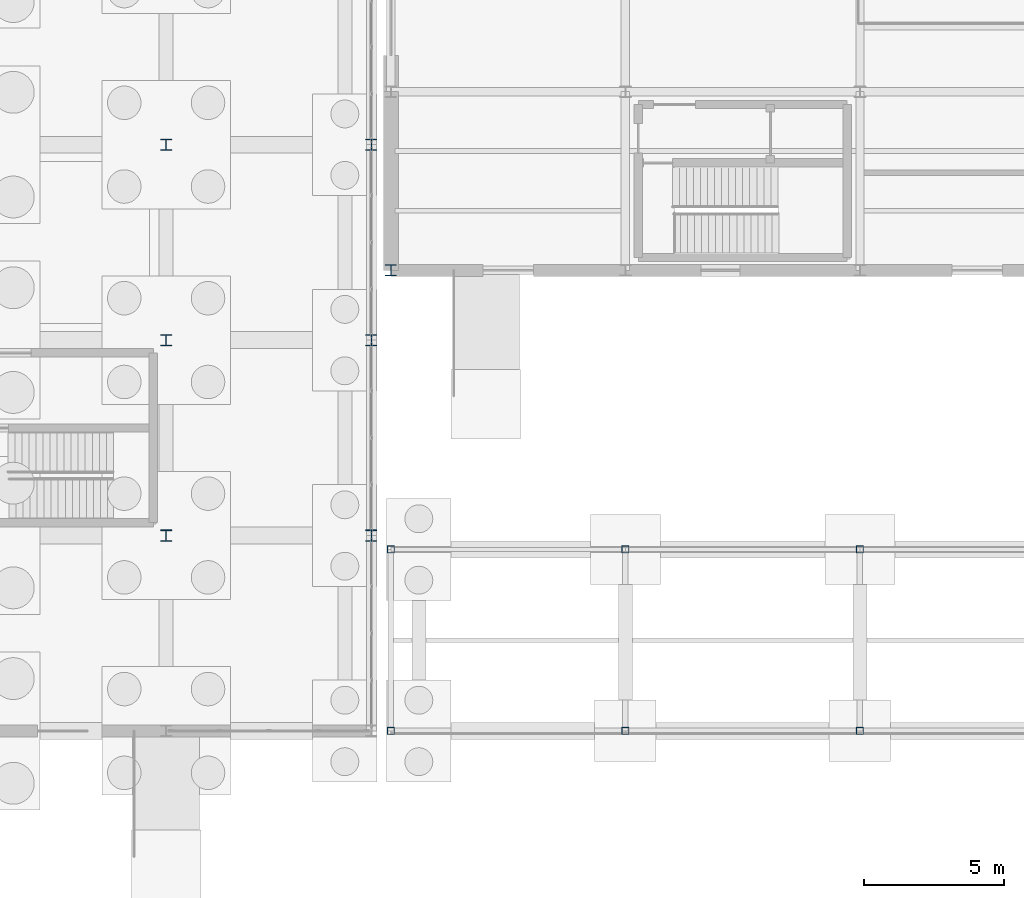
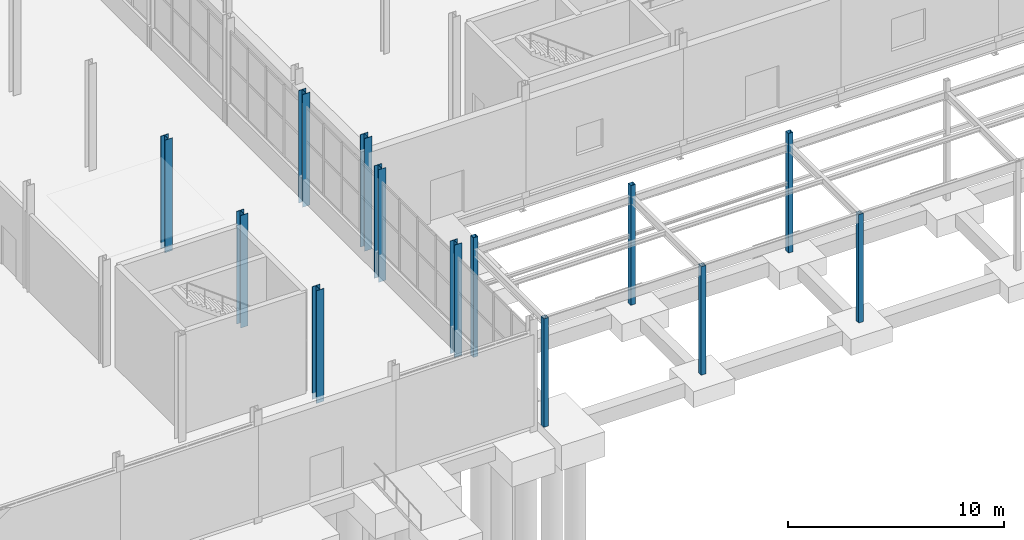
# One storey, part 12 of 139: 13 columns.
"""IFC4 building model written with IfcOpenShell, lengths in metres."""

from ifc_helpers import new_model, si_unit, direction, frame, origin, origin_2d, place, context, subcontext, project, spatial, hollow_rectangle, i_section, extrude, material, material_profile, profile_set, type_object, element, save


model = new_model("IFC4")

# Units and contexts
model_context = context("Model", 3, precision=1e-05, world=origin(), true_north=direction((0.0, 1.0)))
body_context = subcontext(model_context, "Body", "Model", "MODEL_VIEW")
ifc_project = project(units=[si_unit("LENGTHUNIT", "METRE"), si_unit("AREAUNIT", "SQUARE_METRE"), si_unit("VOLUMEUNIT", "CUBIC_METRE"), si_unit("PLANEANGLEUNIT", "RADIAN"), si_unit("MASSUNIT", "GRAM", prefix="KILO")], contexts=[model_context])

# Site, building, storey
site_placement = place(None, origin())
site = spatial("IfcSite", under=ifc_project, at=site_placement, CompositionType="ELEMENT")
building_placement = place(site_placement, origin())
building = spatial("IfcBuilding", under=site, at=building_placement, Name="Kazenagashi Tramway Depot", CompositionType="ELEMENT")
storey_placement = place(building_placement, origin())
storey = spatial("IfcBuildingStorey", under=building, at=storey_placement, Name="L01", CompositionType="ELEMENT", Elevation=0.0)

# Columns
ifc_material_1 = material(Name="Steel SN490B", Category="steel")
ifc_material_profile_1 = material_profile(ifc_material_1, i_section(OverallWidth=0.4, OverallDepth=0.4, WebThickness=0.013, FlangeThickness=0.021, at=origin_2d()), Name="H-400x400x13x21")
ifc_profile_set_1 = profile_set([ifc_material_profile_1], Name="Steel SN490B")
column_type_1 = type_object("IfcColumnType", Name="C-03", PredefinedType="COLUMN", material=ifc_profile_set_1)
for number, where, z_axis, x_axis, name in (
    (1, (44.8, 16.5, -0.35), (0.0, 0.0, 1.0), (1.0, 0.0, 0.0), "Column C-03 COL-0144"),
    (2, (36.75, 7.0, -0.35), (0.0, 0.0, 1.0), (1.0, 0.0, 0.0), "Column C-03 COL-0752"),
    (3, (36.75, 14.0, -0.35), (0.0, 0.0, 1.0), (1.0, 0.0, 0.0), "Column C-03 COL-0756"),
    (4, (36.75, 21.0, -0.35), (0.0, 0.0, 1.0), (1.0, 0.0, 0.0), "Column C-03 COL-0760"),
    (5, (44.1, 7.0, -0.35), (0.0, 0.0, 1.0), (1.0, 0.0, 0.0), "Column C-03 COL-0788"),
    (6, (44.1, 14.0, -0.35), (0.0, 0.0, 1.0), (1.0, 0.0, 0.0), "Column C-03 COL-0790"),
    (7, (44.1, 21.0, -0.35), (0.0, 0.0, 1.0), (1.0, 0.0, 0.0), "Column C-03 COL-0792"),
):
    element("IfcColumn", number, at=place(storey_placement, frame(where, z_axis=z_axis, x_axis=x_axis)), inside=storey, type_object=column_type_1, Name=name, PredefinedType="COLUMN", context=body_context, shape_type="SweptSolid", body=[
        extrude(i_section(OverallWidth=0.4, OverallDepth=0.4, WebThickness=0.013, FlangeThickness=0.021, at=origin_2d()), origin(), (0.0, 0.0, 1.0), 6.35),
    ])
ifc_material_2 = material(Name="Weathering Steel SMA490W", Category="steel")
ifc_material_profile_2 = material_profile(ifc_material_2, hollow_rectangle(XDim=0.25, YDim=0.25, WallThickness=0.009, at=origin_2d()), Name="SHS-250x250x9")
ifc_profile_set_2 = profile_set([ifc_material_profile_2], Name="Weathering Steel SMA490W")
column_type_2 = type_object("IfcColumnType", Name="C-10", PredefinedType="COLUMN", material=ifc_profile_set_2)
column_1_placement = place(storey_placement, frame((44.8, 0.0, -0.35), z_axis=(0.0, 0.0, 1.0), x_axis=(1.0, 0.0, 0.0)))
element("IfcColumn", 8, at=column_1_placement, inside=storey, type_object=column_type_2, Name="Column C-10 COL-0848", PredefinedType="COLUMN", context=body_context, shape_type="SweptSolid", body=[
    extrude(hollow_rectangle(XDim=0.25, YDim=0.25, WallThickness=0.009, at=origin_2d()), origin(), (0.0, 0.0, 1.0), 6.125),
])
column_2_placement = place(storey_placement, frame((44.8, 6.5, -0.35), z_axis=(0.0, 0.0, 1.0), x_axis=(1.0, 0.0, 0.0)))
element("IfcColumn", 9, at=column_2_placement, inside=storey, type_object=column_type_2, Name="Column C-10 COL-0849", PredefinedType="COLUMN", context=body_context, shape_type="SweptSolid", body=[
    extrude(hollow_rectangle(XDim=0.25, YDim=0.25, WallThickness=0.009, at=origin_2d()), origin(), (0.0, 0.0, 1.0), 6.748),
])
column_3_placement = place(storey_placement, frame((53.2, 0.0, -0.35), z_axis=(0.0, 0.0, 1.0), x_axis=(1.0, 0.0, 0.0)))
element("IfcColumn", 10, at=column_3_placement, inside=storey, type_object=column_type_2, Name="Column C-10 COL-0850", PredefinedType="COLUMN", context=body_context, shape_type="SweptSolid", body=[
    extrude(hollow_rectangle(XDim=0.25, YDim=0.25, WallThickness=0.009, at=origin_2d()), origin(), (0.0, 0.0, 1.0), 6.125),
])
column_4_placement = place(storey_placement, frame((53.2, 6.5, -0.35), z_axis=(0.0, 0.0, 1.0), x_axis=(1.0, 0.0, 0.0)))
element("IfcColumn", 11, at=column_4_placement, inside=storey, type_object=column_type_2, Name="Column C-10 COL-0851", PredefinedType="COLUMN", context=body_context, shape_type="SweptSolid", body=[
    extrude(hollow_rectangle(XDim=0.25, YDim=0.25, WallThickness=0.009, at=origin_2d()), origin(), (0.0, 0.0, 1.0), 6.748),
])
column_5_placement = place(storey_placement, frame((61.6, 0.0, -0.35), z_axis=(0.0, 0.0, 1.0), x_axis=(1.0, 0.0, 0.0)))
element("IfcColumn", 12, at=column_5_placement, inside=storey, type_object=column_type_2, Name="Column C-10 COL-0852", PredefinedType="COLUMN", context=body_context, shape_type="SweptSolid", body=[
    extrude(hollow_rectangle(XDim=0.25, YDim=0.25, WallThickness=0.009, at=origin_2d()), origin(), (0.0, 0.0, 1.0), 6.125),
])
column_6_placement = place(storey_placement, frame((61.6, 6.5, -0.35), z_axis=(0.0, 0.0, 1.0), x_axis=(1.0, 0.0, 0.0)))
element("IfcColumn", 13, at=column_6_placement, inside=storey, type_object=column_type_2, Name="Column C-10 COL-0853", PredefinedType="COLUMN", context=body_context, shape_type="SweptSolid", body=[
    extrude(hollow_rectangle(XDim=0.25, YDim=0.25, WallThickness=0.009, at=origin_2d()), origin(), (0.0, 0.0, 1.0), 6.748),
])

save(model, "model.ifc")
